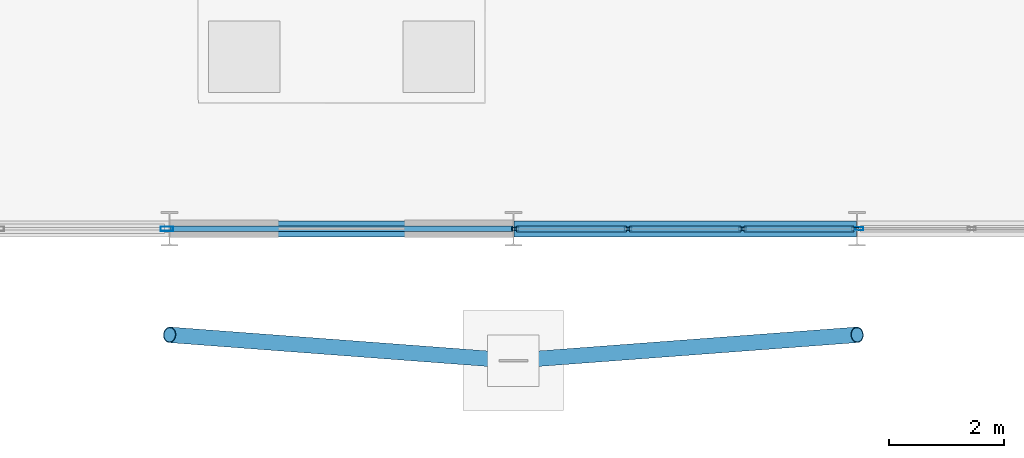
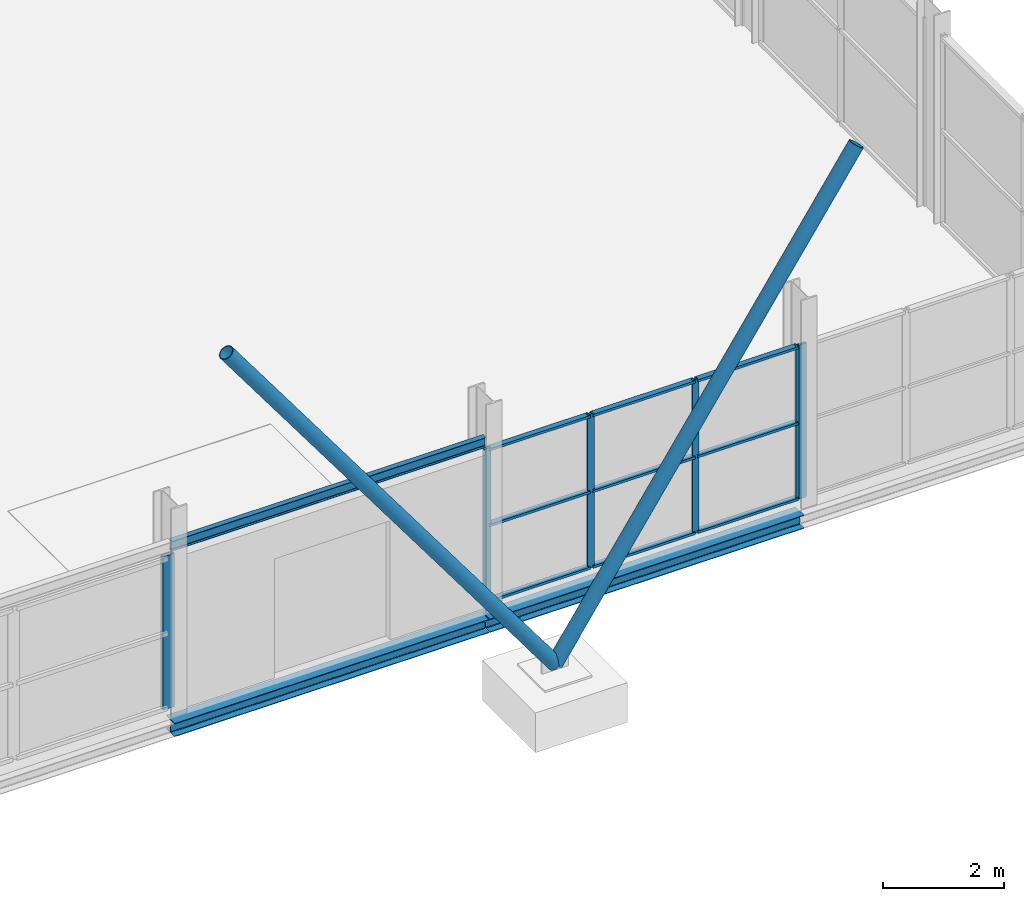
# One storey, part 32 of 140: 17 members, 3 beams, 3 elements without a shape of their own.
"""IFC4 building model written with IfcOpenShell, lengths in metres."""

from ifc_helpers import new_model, si_unit, direction, frame, origin, origin_2d, place, context, subcontext, project, spatial, hollow_rectangle, hollow_circle, i_section, extrude, material, layer, layer_set, material_profile, profile_set, type_object, element, aggregate, save


model = new_model("IFC4")

# Units and contexts
model_context = context("Model", 3, precision=1e-05, world=origin(), true_north=direction((0.0, 1.0)))
body_context = subcontext(model_context, "Body", "Model", "MODEL_VIEW")
ifc_project = project(units=[si_unit("LENGTHUNIT", "METRE"), si_unit("AREAUNIT", "SQUARE_METRE"), si_unit("VOLUMEUNIT", "CUBIC_METRE"), si_unit("PLANEANGLEUNIT", "RADIAN"), si_unit("MASSUNIT", "GRAM", prefix="KILO")], contexts=[model_context])

# Site, building, storey
site_placement = place(None, origin())
site = spatial("IfcSite", under=ifc_project, at=site_placement, CompositionType="ELEMENT")
building_placement = place(site_placement, origin())
building = spatial("IfcBuilding", under=site, at=building_placement, Name="Deido Ridge Mobility Hub", CompositionType="ELEMENT")
storey_placement = place(building_placement, origin())
storey = spatial("IfcBuildingStorey", under=building, at=storey_placement, Name="L00", CompositionType="ELEMENT", Elevation=0.0)

# Beam
ifc_material_1 = material(Name="Steel S355J2 EN 10025-2", Category="steel")
ifc_material_profile_1 = material_profile(ifc_material_1, i_section(OverallWidth=0.10009765625, OverallDepth=0.199951171875, WebThickness=0.005615234375, FlangeThickness=0.008544921875, FilletRadius=0.011962890625, at=origin_2d()), Name="IPE 200")
ifc_profile_set_1 = profile_set([ifc_material_profile_1], Name="Steel S355J2 EN 10025-2")
beam_type_1 = type_object("IfcBeamType", Name="LNT-IPE200", PredefinedType="LINTEL", material=ifc_profile_set_1)
beam_placement = place(storey_placement, frame((42.0078125, 0.0, 3.25), z_axis=(1.0, 0.0, 0.0), x_axis=(0.0, 1.0, 0.0)))
element("IfcBeam", 1, at=beam_placement, inside=storey, type_object=beam_type_1, Name="Opening lintel LN2", PredefinedType="LINTEL", context=body_context, shape_type="SweptSolid", body=[
    extrude(i_section(OverallWidth=0.10009765625, OverallDepth=0.199951171875, WebThickness=0.005615234375, FlangeThickness=0.008544921875, FilletRadius=0.011962890625, at=origin_2d()), origin(), (0.0, 0.0, 1.0), 5.984375),
])

# Members
ifc_material_2 = material(Name="Steel S355J2H EN 10210-1", Category="steel")
ifc_material_profile_2 = material_profile(ifc_material_2, hollow_circle(Radius=0.136474609375, WallThickness=0.012451171875, at=origin_2d()), Name="CHS 273x12.5")
ifc_profile_set_2 = profile_set([ifc_material_profile_2], Name="Steel S355J2H EN 10210-1")
member_type_1 = type_object("IfcMemberType", Name="MEM-BRC-CHS273", PredefinedType="BRACE", material=ifc_profile_set_2)
for number, where, z_axis, x_axis, name in (
    (2, (48.0, -2.300048828125, 0.1650390625), (-0.595347530375, 0.044646219828, 0.80222692122), (-0.074781878398, -0.997199915094, 0.0), "Deconstructivist exoskeleton raked V-strut BR1"),
    (3, (48.0, -2.300048828125, 0.1650390625), (0.595347530375, 0.044646219828, 0.80222692122), (-0.074781878398, 0.997199915094, 0.0), "Deconstructivist exoskeleton raked V-strut BR1"),
):
    element("IfcMember", number, at=place(storey_placement, frame(where, z_axis=z_axis, x_axis=x_axis)), inside=storey, type_object=member_type_1, Name=name, PredefinedType="BRACE", context=body_context, shape_type="SweptSolid", body=[
        extrude(hollow_circle(Radius=0.136474609375, WallThickness=0.012451171875, at=origin_2d()), origin(), (0.0, 0.0, 1.0), 10.078125),
    ])

# Curtain wall, members
ifc_material_3 = material(Name="Anodised aluminium EN AW-6063 T6", Category="aluminium")
ifc_layer_1 = layer(ifc_material_3, 0.1650390625, Name="Anodised aluminium EN AW-6063 T6")
ifc_layer_set_1 = layer_set([ifc_layer_1], Name="Anodised aluminium EN AW-6063 T6")
curtain_wall_type_1 = type_object("IfcCurtainWallType", Name="CW-UF-1", PredefinedType="USERDEFINED", material=ifc_layer_set_1)
curtain_wall_1_placement = place(storey_placement, origin())
curtain_wall_1 = element("IfcCurtainWall", 4, at=curtain_wall_1_placement, inside=storey, type_object=curtain_wall_type_1, Name="Unitised curtain wall CW1", ObjectType="UNITISED FACADE", PredefinedType="USERDEFINED")
ifc_material_profile_3 = material_profile(ifc_material_3, hollow_rectangle(XDim=0.050048828125, YDim=0.1298828125, WallThickness=0.00390625, at=origin_2d()), Name="RHS 50x130x4")
ifc_profile_set_3 = profile_set([ifc_material_profile_3], Name="Anodised aluminium EN AW-6063 T6")
member_type_2 = type_object("IfcMemberType", Name="MEM-MUL-50X130", PredefinedType="MULLION", material=ifc_profile_set_3)
member_1_placement = place(storey_placement, frame((48.03271484375, 0.0, 0.0), z_axis=(0.0, 0.0, 1.0), x_axis=(0.0, 1.0, 0.0)))
member_1 = element("IfcMember", 5, at=member_1_placement, type_object=member_type_2, Name="CW1 mullion 1", PredefinedType="MULLION", context=body_context, shape_type="SweptSolid", body=[
    extrude(hollow_rectangle(XDim=0.050048828125, YDim=0.1298828125, WallThickness=0.00390625, at=origin_2d()), origin(), (0.0, 0.0, 1.0), 3.10009765625),
])
member_2_placement = place(storey_placement, frame((50.002685546875, 0.0, 0.0), z_axis=(0.0, 0.0, 1.0), x_axis=(0.0, 1.0, 0.0)))
member_2 = element("IfcMember", 6, at=member_2_placement, type_object=member_type_2, Name="CW1 mullion 2", PredefinedType="MULLION", context=body_context, shape_type="SweptSolid", body=[
    extrude(hollow_rectangle(XDim=0.050048828125, YDim=0.1298828125, WallThickness=0.00390625, at=origin_2d()), origin(), (0.0, 0.0, 1.0), 3.10009765625),
])
member_3_placement = place(storey_placement, frame((51.997314453125, 0.0, 0.0), z_axis=(0.0, 0.0, 1.0), x_axis=(0.0, 1.0, 0.0)))
member_3 = element("IfcMember", 7, at=member_3_placement, type_object=member_type_2, Name="CW1 mullion 3", PredefinedType="MULLION", context=body_context, shape_type="SweptSolid", body=[
    extrude(hollow_rectangle(XDim=0.050048828125, YDim=0.1298828125, WallThickness=0.00390625, at=origin_2d()), origin(), (0.0, 0.0, 1.0), 3.10009765625),
])
member_4_placement = place(storey_placement, frame((53.96728515625, 0.0, 0.0), z_axis=(0.0, 0.0, 1.0), x_axis=(0.0, 1.0, 0.0)))
member_4 = element("IfcMember", 8, at=member_4_placement, type_object=member_type_2, Name="CW1 mullion 4", PredefinedType="MULLION", context=body_context, shape_type="SweptSolid", body=[
    extrude(hollow_rectangle(XDim=0.050048828125, YDim=0.1298828125, WallThickness=0.00390625, at=origin_2d()), origin(), (0.0, 0.0, 1.0), 3.10009765625),
])

# Curtain wall, member
ifc_layer_2 = layer(ifc_material_3, 0.179931640625, Name="Anodised aluminium EN AW-6063 T6")
ifc_layer_set_2 = layer_set([ifc_layer_2], Name="Anodised aluminium EN AW-6063 T6")
curtain_wall_type_2 = type_object("IfcCurtainWallType", Name="CW-UF-2", PredefinedType="USERDEFINED", material=ifc_layer_set_2)
curtain_wall_2_placement = place(storey_placement, origin())
curtain_wall_2 = element("IfcCurtainWall", 9, at=curtain_wall_2_placement, inside=storey, type_object=curtain_wall_type_2, Name="Unitised curtain wall CW2", ObjectType="UNITISED FACADE", PredefinedType="USERDEFINED")
ifc_material_profile_4 = material_profile(ifc_material_3, hollow_rectangle(XDim=0.054931640625, YDim=0.14501953125, WallThickness=0.00390625, at=origin_2d()), Name="RHS 55x145x4")
ifc_profile_set_4 = profile_set([ifc_material_profile_4], Name="Anodised aluminium EN AW-6063 T6")
member_type_3 = type_object("IfcMemberType", Name="MEM-MUL-55X145", PredefinedType="MULLION", material=ifc_profile_set_4)
member_5_placement = place(storey_placement, frame((54.035400390625, 0.0, 0.0), z_axis=(0.0, 0.0, 1.0), x_axis=(0.0, 1.0, 0.0)))
member_5 = element("IfcMember", 10, at=member_5_placement, type_object=member_type_3, Name="CW2 mullion 1", PredefinedType="MULLION", context=body_context, shape_type="SweptSolid", body=[
    extrude(hollow_rectangle(XDim=0.054931640625, YDim=0.14501953125, WallThickness=0.00390625, at=origin_2d()), origin(), (0.0, 0.0, 1.0), 3.10009765625),
])
aggregate(curtain_wall_2, [member_5])

ifc_layer_3 = layer(ifc_material_3, 0.2548828125, Name="Anodised aluminium EN AW-6063 T6")
ifc_layer_set_3 = layer_set([ifc_layer_3], Name="Anodised aluminium EN AW-6063 T6")
curtain_wall_type_3 = type_object("IfcCurtainWallType", Name="CW-UF-7", PredefinedType="USERDEFINED", material=ifc_layer_set_3)
curtain_wall_3_placement = place(storey_placement, origin())
curtain_wall_3 = element("IfcCurtainWall", 11, at=curtain_wall_3_placement, inside=storey, type_object=curtain_wall_type_3, Name="Unitised curtain wall CW7", ObjectType="UNITISED FACADE", PredefinedType="USERDEFINED")
ifc_material_profile_5 = material_profile(ifc_material_3, hollow_rectangle(XDim=0.080078125, YDim=0.219970703125, WallThickness=0.00390625, at=origin_2d()), Name="RHS 80x220x4")
ifc_profile_set_5 = profile_set([ifc_material_profile_5], Name="Anodised aluminium EN AW-6063 T6")
member_type_4 = type_object("IfcMemberType", Name="MEM-MUL-80X220", PredefinedType="MULLION", material=ifc_profile_set_5)
member_6_placement = place(storey_placement, frame((41.9521484375, 0.0, 0.0), z_axis=(0.0, 0.0, 1.0), x_axis=(0.0, 1.0, 0.0)))
member_6 = element("IfcMember", 12, at=member_6_placement, type_object=member_type_4, Name="CW7 mullion 3", PredefinedType="MULLION", context=body_context, shape_type="SweptSolid", body=[
    extrude(hollow_rectangle(XDim=0.080078125, YDim=0.219970703125, WallThickness=0.00390625, at=origin_2d()), origin(), (0.0, 0.0, 1.0), 3.0849609375),
])
aggregate(curtain_wall_3, [member_6])

# Member
ifc_material_profile_6 = material_profile(ifc_material_3, hollow_rectangle(XDim=0.10498046875, YDim=0.050048828125, WallThickness=0.00390625, at=origin_2d()), Name="RHS 105x50x4")
ifc_profile_set_6 = profile_set([ifc_material_profile_6], Name="Anodised aluminium EN AW-6063 T6")
member_type_5 = type_object("IfcMemberType", Name="MEM-TRN-105X50", PredefinedType="USERDEFINED", material=ifc_profile_set_6)
member_7_placement = place(storey_placement, frame((48.057861328125, 0.0, 0.02490234375), z_axis=(1.0, 0.0, 0.0), x_axis=(0.0, 1.0, 0.0)))
member_7 = element("IfcMember", 13, at=member_7_placement, type_object=member_type_5, Name="CW1 transom 1.1", ObjectType="TRANSOM", PredefinedType="USERDEFINED", context=body_context, shape_type="SweptSolid", body=[
    extrude(hollow_rectangle(XDim=0.10498046875, YDim=0.050048828125, WallThickness=0.00390625, at=origin_2d()), origin(), (0.0, 0.0, 1.0), 1.919677734375),
])

member_8_placement = place(storey_placement, frame((48.057861328125, 0.0, 1.550048828125), z_axis=(1.0, 0.0, 0.0), x_axis=(0.0, 1.0, 0.0)))
member_8 = element("IfcMember", 14, at=member_8_placement, type_object=member_type_5, Name="CW1 transom 1.2", ObjectType="TRANSOM", PredefinedType="USERDEFINED", context=body_context, shape_type="SweptSolid", body=[
    extrude(hollow_rectangle(XDim=0.10498046875, YDim=0.050048828125, WallThickness=0.00390625, at=origin_2d()), origin(), (0.0, 0.0, 1.0), 1.919677734375),
])

member_9_placement = place(storey_placement, frame((48.057861328125, 0.0, 3.074951171875), z_axis=(1.0, 0.0, 0.0), x_axis=(0.0, 1.0, 0.0)))
member_9 = element("IfcMember", 15, at=member_9_placement, type_object=member_type_5, Name="CW1 transom 1.3", ObjectType="TRANSOM", PredefinedType="USERDEFINED", context=body_context, shape_type="SweptSolid", body=[
    extrude(hollow_rectangle(XDim=0.10498046875, YDim=0.050048828125, WallThickness=0.00390625, at=origin_2d()), origin(), (0.0, 0.0, 1.0), 1.919677734375),
])

member_10_placement = place(storey_placement, frame((50.027587890625, 0.0, 0.02490234375), z_axis=(1.0, 0.0, 0.0), x_axis=(0.0, 1.0, 0.0)))
member_10 = element("IfcMember", 16, at=member_10_placement, type_object=member_type_5, Name="CW1 transom 2.1", ObjectType="TRANSOM", PredefinedType="USERDEFINED", context=body_context, shape_type="SweptSolid", body=[
    extrude(hollow_rectangle(XDim=0.10498046875, YDim=0.050048828125, WallThickness=0.00390625, at=origin_2d()), origin(), (0.0, 0.0, 1.0), 1.94482421875),
])

member_11_placement = place(storey_placement, frame((50.027587890625, 0.0, 1.550048828125), z_axis=(1.0, 0.0, 0.0), x_axis=(0.0, 1.0, 0.0)))
member_11 = element("IfcMember", 17, at=member_11_placement, type_object=member_type_5, Name="CW1 transom 2.2", ObjectType="TRANSOM", PredefinedType="USERDEFINED", context=body_context, shape_type="SweptSolid", body=[
    extrude(hollow_rectangle(XDim=0.10498046875, YDim=0.050048828125, WallThickness=0.00390625, at=origin_2d()), origin(), (0.0, 0.0, 1.0), 1.94482421875),
])

member_12_placement = place(storey_placement, frame((50.027587890625, 0.0, 3.074951171875), z_axis=(1.0, 0.0, 0.0), x_axis=(0.0, 1.0, 0.0)))
member_12 = element("IfcMember", 18, at=member_12_placement, type_object=member_type_5, Name="CW1 transom 2.3", ObjectType="TRANSOM", PredefinedType="USERDEFINED", context=body_context, shape_type="SweptSolid", body=[
    extrude(hollow_rectangle(XDim=0.10498046875, YDim=0.050048828125, WallThickness=0.00390625, at=origin_2d()), origin(), (0.0, 0.0, 1.0), 1.94482421875),
])

member_13_placement = place(storey_placement, frame((52.0224609375, 0.0, 0.02490234375), z_axis=(1.0, 0.0, 0.0), x_axis=(0.0, 1.0, 0.0)))
member_13 = element("IfcMember", 19, at=member_13_placement, type_object=member_type_5, Name="CW1 transom 3.1", ObjectType="TRANSOM", PredefinedType="USERDEFINED", context=body_context, shape_type="SweptSolid", body=[
    extrude(hollow_rectangle(XDim=0.10498046875, YDim=0.050048828125, WallThickness=0.00390625, at=origin_2d()), origin(), (0.0, 0.0, 1.0), 1.919677734375),
])

member_14_placement = place(storey_placement, frame((52.0224609375, 0.0, 1.550048828125), z_axis=(1.0, 0.0, 0.0), x_axis=(0.0, 1.0, 0.0)))
member_14 = element("IfcMember", 20, at=member_14_placement, type_object=member_type_5, Name="CW1 transom 3.2", ObjectType="TRANSOM", PredefinedType="USERDEFINED", context=body_context, shape_type="SweptSolid", body=[
    extrude(hollow_rectangle(XDim=0.10498046875, YDim=0.050048828125, WallThickness=0.00390625, at=origin_2d()), origin(), (0.0, 0.0, 1.0), 1.919677734375),
])

member_15_placement = place(storey_placement, frame((52.0224609375, 0.0, 3.074951171875), z_axis=(1.0, 0.0, 0.0), x_axis=(0.0, 1.0, 0.0)))
member_15 = element("IfcMember", 21, at=member_15_placement, type_object=member_type_5, Name="CW1 transom 3.3", ObjectType="TRANSOM", PredefinedType="USERDEFINED", context=body_context, shape_type="SweptSolid", body=[
    extrude(hollow_rectangle(XDim=0.10498046875, YDim=0.050048828125, WallThickness=0.00390625, at=origin_2d()), origin(), (0.0, 0.0, 1.0), 1.919677734375),
])

aggregate(curtain_wall_1, [member_1, member_2, member_3, member_4, member_7, member_8, member_9, member_10, member_11, member_12, member_13, member_14, member_15])

# Beams
ifc_material_profile_7 = material_profile(ifc_material_1, i_section(OverallWidth=0.280029296875, OverallDepth=0.27001953125, WebThickness=0.008056640625, FlangeThickness=0.012939453125, FilletRadius=0.02392578125, at=origin_2d()), Name="HEA 280")
ifc_profile_set_7 = profile_set([ifc_material_profile_7], Name="Steel S355J2 EN 10025-2")
beam_type_2 = type_object("IfcBeamType", Name="SPD-HEA280", PredefinedType="SPANDREL", material=ifc_profile_set_7)
for number, where, z_axis, x_axis, name in (
    (22, (42.0078125, 0.0, -0.39501953125), (1.0, 0.0, 0.0), (0.0, 1.0, 0.0), "Floor beam SP2"),
    (23, (48.0078125, 0.0, -0.39501953125), (1.0, 0.0, 0.0), (0.0, 1.0, 0.0), "Floor beam SP2"),
):
    element("IfcBeam", number, at=place(storey_placement, frame(where, z_axis=z_axis, x_axis=x_axis)), inside=storey, type_object=beam_type_2, Name=name, PredefinedType="SPANDREL", context=body_context, shape_type="SweptSolid", body=[
        extrude(i_section(OverallWidth=0.280029296875, OverallDepth=0.27001953125, WebThickness=0.008056640625, FlangeThickness=0.012939453125, FilletRadius=0.02392578125, at=origin_2d()), origin(), (0.0, 0.0, 1.0), 5.984375),
    ])

save(model, "model.ifc")
